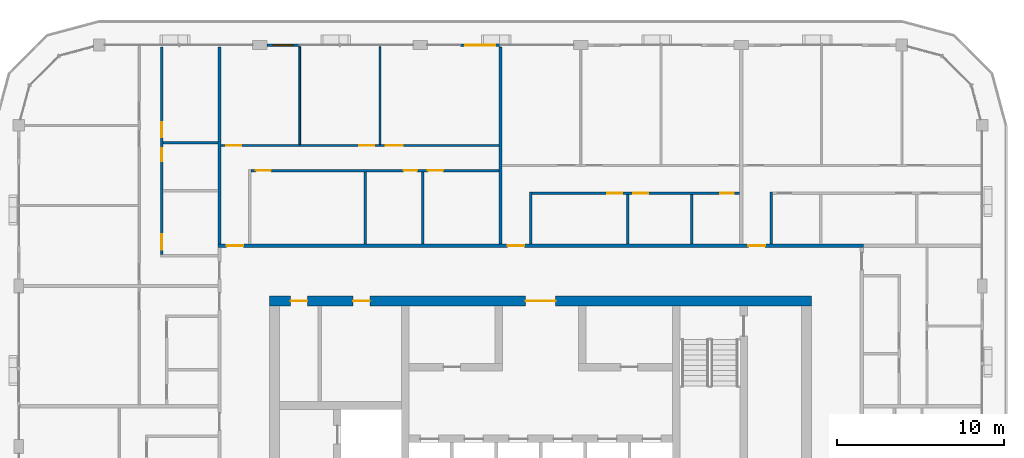
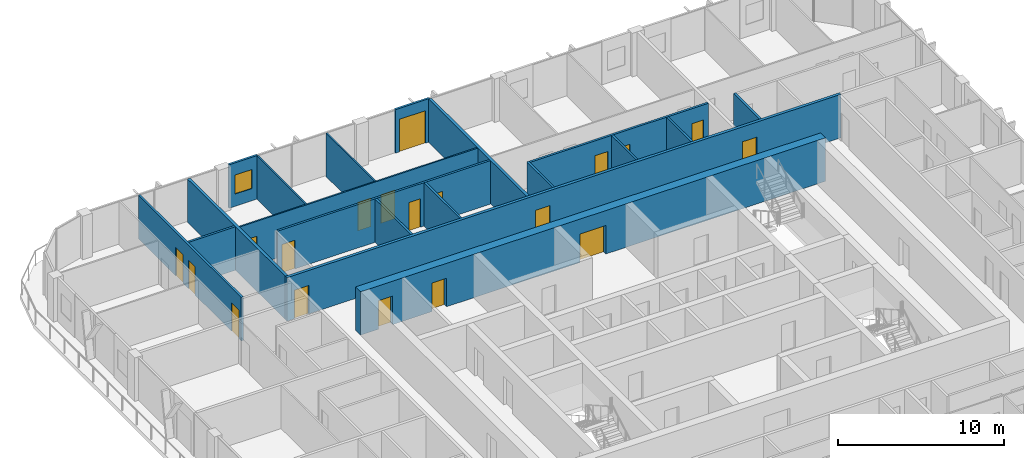
# One storey, part 14 of 21: 19 doors, 19 walls, 1 window, 20 openings.
"""IFC4 building model written with IfcOpenShell, lengths in metres."""

from ifc_helpers import new_model, si_unit, direction, frame, frame_2d, origin, place, context, subcontext, project, spatial, rectangle, extrude, material, layer, layer_set, type_object, element, fill, save


model = new_model("IFC4")

# Units and contexts
model_context = context("Model", 3, precision=1e-05, world=origin(), true_north=direction((0.0, 1.0)))
body_context = subcontext(model_context, "Body", "Model", "MODEL_VIEW")
ifc_project = project(units=[si_unit("LENGTHUNIT", "METRE"), si_unit("AREAUNIT", "SQUARE_METRE"), si_unit("VOLUMEUNIT", "CUBIC_METRE"), si_unit("PLANEANGLEUNIT", "RADIAN"), si_unit("MASSUNIT", "GRAM", prefix="KILO")], contexts=[model_context])

# Site, building, storey
site_placement = place(None, origin())
site = spatial("IfcSite", under=ifc_project, at=site_placement, CompositionType="ELEMENT")
building_placement = place(site_placement, origin())
building = spatial("IfcBuilding", under=site, at=building_placement, Name="Madar Terraces", CompositionType="ELEMENT")
storey_placement = place(building_placement, frame((0.0, 0.0, 252.699951171875)))
storey = spatial("IfcBuildingStorey", under=building, at=storey_placement, Name="L66", CompositionType="ELEMENT", Elevation=252.699951171875)

# Wall, openings, doors
ifc_material_1 = material(Name="Concrete C55/67", Category="concrete")
ifc_layer_1 = layer(ifc_material_1, 0.60009765625)
ifc_layer_set_1 = layer_set([ifc_layer_1], Name="Concrete C55/67 (CRW5 RC wall 600)")
wall_type_1 = type_object("IfcWallType", Name="CRW5 RC wall 600", PredefinedType="SHEAR", material=ifc_layer_set_1)
wall_1_placement = place(storey_placement, frame((15.0, 37.5, 0.0), z_axis=(0.0, 0.0, 1.0), x_axis=(1.0, 0.0, 0.0)))
wall_1 = element("IfcWall", 1, at=wall_1_placement, inside=storey, type_object=wall_type_1, Name="CORE OUTER WALL", PredefinedType="SHEAR", context=body_context, shape_type="SweptSolid", body=[
    extrude(rectangle(XDim=32.39990234375, YDim=0.60009765625, at=frame_2d((16.199951171875, 0.0))), origin(), (0.0, 0.0, 1.0), 3.199951171875),
])
opening_1_placement = place(wall_1_placement, frame((15.300048828125, 0.0, 0.0)))
opening_1 = element("IfcOpeningElement", 2, at=opening_1_placement, cuts=wall_1, Name="Opening KD1", PredefinedType="OPENING", context=body_context, shape_type="SweptSolid", body=[
    extrude(rectangle(XDim=1.800048828125, YDim=2.10009765625, at=frame_2d((0.89990234375, 1.050048828125))), frame((0.0, 0.31005859375, 0.0), z_axis=(0.0, -1.0, 0.0), x_axis=(1.0, 0.0, 0.0)), (0.0, 0.0, 1.0), 0.6201171875),
])
opening_2_placement = place(wall_1_placement, frame((1.25048828125, 0.0, 0.0)))
opening_2 = element("IfcOpeningElement", 3, at=opening_2_placement, cuts=wall_1, Name="Opening KD2", PredefinedType="OPENING", context=body_context, shape_type="SweptSolid", body=[
    extrude(rectangle(XDim=1.0, YDim=2.10009765625, at=frame_2d((0.5, 1.050048828125))), frame((0.0, 0.31005859375, 0.0), z_axis=(0.0, -1.0, 0.0), x_axis=(1.0, 0.0, 0.0)), (0.0, 0.0, 1.0), 0.6201171875),
])
opening_3_placement = place(wall_1_placement, frame((4.98779296875, 0.0, 0.0)))
opening_3 = element("IfcOpeningElement", 4, at=opening_3_placement, cuts=wall_1, Name="Opening KD2", PredefinedType="OPENING", context=body_context, shape_type="SweptSolid", body=[
    extrude(rectangle(XDim=1.0, YDim=2.10009765625, at=frame_2d((0.5, 1.050048828125))), frame((0.0, 0.31005859375, 0.0), z_axis=(0.0, -1.0, 0.0), x_axis=(1.0, 0.0, 0.0)), (0.0, 0.0, 1.0), 0.6201171875),
])
ifc_material_2 = material(Name="Steel door leaf", Category="steel")
door_type_1 = type_object("IfcDoorType", Name="Lobby door pair 1800 x 2100", OperationType="DOUBLE_DOOR_SINGLE_SWING", PredefinedType="DOOR", material=ifc_material_2)
door_1_placement = place(opening_1_placement, origin())
door_1 = element("IfcDoor", 5, at=door_1_placement, inside=storey, type_object=door_type_1, Name="LIFT LOBBY DOOR", OperationType="DOUBLE_DOOR_SINGLE_SWING", OverallHeight=2.10009765625, OverallWidth=1.800048828125, PredefinedType="DOOR", context=body_context, shape_type="SweptSolid", body=[
    extrude(rectangle(XDim=1.800048828125, YDim=2.10009765625, at=frame_2d((0.89990234375, 1.050048828125))), frame((0.0, 0.02490234375, 0.0), z_axis=(0.0, -1.0, 0.0), x_axis=(1.0, 0.0, 0.0)), (0.0, 0.0, 1.0), 0.050048828125),
])
fill(opening_1, door_1)
ifc_material_3 = material(Name="Steel door leaf", Category="steel")
door_type_2 = type_object("IfcDoorType", Name="Service room door 1000 x 2100", OperationType="NOTDEFINED", PredefinedType="DOOR", material=ifc_material_3)
door_2_placement = place(opening_2_placement, origin())
door_2 = element("IfcDoor", 6, at=door_2_placement, inside=storey, type_object=door_type_2, Name="SERVICE ROOM DOOR", OperationType="SINGLE_SWING_LEFT", OverallHeight=2.10009765625, OverallWidth=1.0, PredefinedType="DOOR", context=body_context, shape_type="SweptSolid", body=[
    extrude(rectangle(XDim=1.0, YDim=2.10009765625, at=frame_2d((0.5, 1.050048828125))), frame((0.0, 0.02490234375, 0.0), z_axis=(0.0, -1.0, 0.0), x_axis=(1.0, 0.0, 0.0)), (0.0, 0.0, 1.0), 0.050048828125),
])
fill(opening_2, door_2)
door_3_placement = place(opening_3_placement, origin())
door_3 = element("IfcDoor", 7, at=door_3_placement, inside=storey, type_object=door_type_2, Name="SERVICE ROOM DOOR", OperationType="SINGLE_SWING_RIGHT", OverallHeight=2.10009765625, OverallWidth=1.0, PredefinedType="DOOR", context=body_context, shape_type="SweptSolid", body=[
    extrude(rectangle(XDim=1.0, YDim=2.10009765625, at=frame_2d((0.5, 1.050048828125))), frame((0.0, 0.02490234375, 0.0), z_axis=(0.0, -1.0, 0.0), x_axis=(1.0, 0.0, 0.0)), (0.0, 0.0, 1.0), 0.050048828125),
])
fill(opening_3, door_3)

# Wall, opening, door
ifc_material_4 = material(Name="Aluminium composite panel, black, over insulated backing", Category="aluminium")
ifc_layer_2 = layer(ifc_material_4, 0.14990234375)
ifc_layer_set_2 = layer_set([ifc_layer_2], Name="Facade bay panel 150")
wall_type_2 = type_object("IfcWallType", Name="Facade bay panel 150", PredefinedType="SOLIDWALL", material=ifc_layer_set_2)
wall_2_placement = place(storey_placement, frame((28.800048828125, 52.800048828125, 0.0), z_axis=(0.0, 0.0, 1.0), x_axis=(-1.0, 0.0, 0.0)))
wall_2 = element("IfcWall", 8, at=wall_2_placement, inside=storey, type_object=wall_type_2, Name="Facade bay panel", PredefinedType="SOLIDWALL", context=body_context, shape_type="SweptSolid", body=[
    extrude(rectangle(XDim=2.400146484375, YDim=0.14990234375, at=frame_2d((1.2001953125, 0.0))), origin(), (0.0, 0.0, 1.0), 3.199951171875),
])
opening_4_placement = place(wall_2_placement, frame((0.300048828125, 0.0, 0.0)))
opening_4 = element("IfcOpeningElement", 9, at=opening_4_placement, cuts=wall_2, Name="Opening ED1", PredefinedType="OPENING", context=body_context, shape_type="SweptSolid", body=[
    extrude(rectangle(XDim=1.800048828125, YDim=2.39990234375, at=frame_2d((0.89990234375, 1.199951171875))), frame((0.0, 0.0849609375, 0.0), z_axis=(0.0, -1.0, 0.0), x_axis=(1.0, 0.0, 0.0)), (0.0, 0.0, 1.0), 0.169921875),
])
ifc_material_5 = material(Name="Glass, clear, with black aluminium frame", Category="aluminium")
door_type_3 = type_object("IfcDoorType", Name="Balcony and terrace sliding door 1800 x 2400", OperationType="SLIDING_TO_LEFT", PredefinedType="DOOR", material=ifc_material_5)
door_4_placement = place(opening_4_placement, origin())
door_4 = element("IfcDoor", 10, at=door_4_placement, inside=storey, type_object=door_type_3, Name="Balcony door", OperationType="SLIDING_TO_LEFT", OverallHeight=2.39990234375, OverallWidth=1.800048828125, PredefinedType="DOOR", context=body_context, shape_type="SweptSolid", body=[
    extrude(rectangle(XDim=1.800048828125, YDim=2.39990234375, at=frame_2d((0.89990234375, 1.199951171875))), frame((0.0, 0.02490234375, 0.0), z_axis=(0.0, -1.0, 0.0), x_axis=(1.0, 0.0, 0.0)), (0.0, 0.0, 1.0), 0.050048828125),
])
fill(opening_4, door_4)

# Wall, opening, window
wall_3_placement = place(storey_placement, frame((16.800048828125, 52.800048828125, 0.0), z_axis=(0.0, 0.0, 1.0), x_axis=(-1.0, 0.0, 0.0)))
wall_3 = element("IfcWall", 11, at=wall_3_placement, inside=storey, type_object=wall_type_2, Name="Facade bay panel", PredefinedType="SOLIDWALL", context=body_context, shape_type="SweptSolid", body=[
    extrude(rectangle(XDim=1.97509765625, YDim=0.14990234375, at=frame_2d((0.987548828125, 0.0))), origin(), (0.0, 0.0, 1.0), 3.199951171875),
])
opening_5_placement = place(wall_3_placement, frame((0.387451171875, 0.0, 0.89990234375)))
opening_5 = element("IfcOpeningElement", 12, at=opening_5_placement, cuts=wall_3, Name="Opening W1", PredefinedType="OPENING", context=body_context, shape_type="SweptSolid", body=[
    extrude(rectangle(XDim=1.199951171875, YDim=1.39990234375, at=frame_2d((0.60009765625, 0.699951171875))), frame((0.0, 0.0849609375, 0.0), z_axis=(0.0, -1.0, 0.0), x_axis=(1.0, 0.0, 0.0)), (0.0, 0.0, 1.0), 0.169921875),
])
ifc_material_6 = material(Name="Glass, clear, with black aluminium frame", Category="aluminium")
window_type = type_object("IfcWindowType", Name="Vent window 1200 x 1400", PartitioningType="SINGLE_PANEL", PredefinedType="WINDOW", material=ifc_material_6)
window_placement = place(opening_5_placement, origin())
window = element("IfcWindow", 13, at=window_placement, inside=storey, type_object=window_type, Name="Operable vent window", OverallHeight=1.39990234375, OverallWidth=1.199951171875, PartitioningType="SINGLE_PANEL", PredefinedType="WINDOW", context=body_context, shape_type="SweptSolid", body=[
    extrude(rectangle(XDim=1.199951171875, YDim=1.39990234375, at=frame_2d((0.60009765625, 0.699951171875))), frame((0.0, 0.030029296875, 0.0), z_axis=(0.0, -1.0, 0.0), x_axis=(1.0, 0.0, 0.0)), (0.0, 0.0, 1.0), 0.06005859375),
])
fill(opening_5, window)

# Walls
ifc_material_7 = material(Name="Gypsum board on steel studs", Category="steel")
ifc_layer_3 = layer(ifc_material_7, 0.10009765625)
ifc_layer_set_3 = layer_set([ifc_layer_3], Name="Flat partition 100")
wall_type_3 = type_object("IfcWallType", Name="Flat partition 100", PredefinedType="PARTITIONING", material=ifc_layer_set_3)
for number, where, z_axis, x_axis, name in (
    (14, (16.800048828125, 46.85009765625, 0.0), (0.0, 0.0, 1.0), (0.0, 1.0, 0.0), "Flat partition 100"),
    (15, (21.60009765625, 46.85009765625, 0.0), (0.0, 0.0, 1.0), (0.0, 1.0, 0.0), "Flat partition 100"),
):
    element("IfcWall", number, at=place(storey_placement, frame(where, z_axis=z_axis, x_axis=x_axis)), inside=storey, type_object=wall_type_3, Name=name, PredefinedType="PARTITIONING", context=body_context, shape_type="SweptSolid", body=[
        extrude(rectangle(XDim=5.849853515625, YDim=0.10009765625, at=frame_2d((2.9248046875, 0.0))), origin(), (0.0, 0.0, 1.0), 3.199951171875),
    ])

# Wall, openings, doors
wall_4_placement = place(storey_placement, frame((12.10009765625, 46.800048828125, 0.0), z_axis=(0.0, 0.0, 1.0), x_axis=(1.0, 0.0, 0.0)))
wall_4 = element("IfcWall", 16, at=wall_4_placement, inside=storey, type_object=wall_type_3, Name="Flat partition 100", PredefinedType="PARTITIONING", context=body_context, shape_type="SweptSolid", body=[
    extrude(rectangle(XDim=16.599853515625, YDim=0.10009765625, at=frame_2d((8.2998046875, 0.0))), origin(), (0.0, 0.0, 1.0), 3.199951171875),
])
opening_6_placement = place(wall_4_placement, frame((0.300048828125, 0.0, 0.0)))
opening_6 = element("IfcOpeningElement", 17, at=opening_6_placement, cuts=wall_4, Name="Opening D2", PredefinedType="OPENING", context=body_context, shape_type="SweptSolid", body=[
    extrude(rectangle(XDim=0.89990234375, YDim=2.10009765625, at=frame_2d((0.449951171875, 1.050048828125))), frame((0.0, 0.06005859375, 0.0), z_axis=(0.0, -1.0, 0.0), x_axis=(1.0, 0.0, 0.0)), (0.0, 0.0, 1.0), 0.1201171875),
])
opening_7_placement = place(wall_4_placement, frame((8.25, 0.0, 0.0)))
opening_7 = element("IfcOpeningElement", 18, at=opening_7_placement, cuts=wall_4, Name="Opening D2", PredefinedType="OPENING", context=body_context, shape_type="SweptSolid", body=[
    extrude(rectangle(XDim=0.89990234375, YDim=2.10009765625, at=frame_2d((0.449951171875, 1.050048828125))), frame((0.0, 0.06005859375, 0.0), z_axis=(0.0, -1.0, 0.0), x_axis=(1.0, 0.0, 0.0)), (0.0, 0.0, 1.0), 0.1201171875),
])
opening_8_placement = place(wall_4_placement, frame((9.85009765625, 0.0, 0.0)))
opening_8 = element("IfcOpeningElement", 19, at=opening_8_placement, cuts=wall_4, Name="Opening D3", PredefinedType="OPENING", context=body_context, shape_type="SweptSolid", body=[
    extrude(rectangle(XDim=1.0, YDim=2.10009765625, at=frame_2d((0.5, 1.050048828125))), frame((0.0, 0.06005859375, 0.0), z_axis=(0.0, -1.0, 0.0), x_axis=(1.0, 0.0, 0.0)), (0.0, 0.0, 1.0), 0.1201171875),
])
ifc_material_8 = material(Name="Timber door leaf", Category="wood")
door_type_4 = type_object("IfcDoorType", Name="Flat living room door 1000", OperationType="NOTDEFINED", PredefinedType="DOOR", material=ifc_material_8)
door_5_placement = place(opening_8_placement, origin())
door_5 = element("IfcDoor", 20, at=door_5_placement, inside=storey, type_object=door_type_4, Name="Flat living room door 1000", OperationType="SINGLE_SWING_LEFT", OverallHeight=2.10009765625, OverallWidth=1.0, PredefinedType="DOOR", context=body_context, shape_type="SweptSolid", body=[
    extrude(rectangle(XDim=1.0, YDim=2.10009765625, at=frame_2d((0.5, 1.050048828125))), frame((0.0, 0.02490234375, 0.0), z_axis=(0.0, -1.0, 0.0), x_axis=(1.0, 0.0, 0.0)), (0.0, 0.0, 1.0), 0.050048828125),
])
fill(opening_8, door_5)
ifc_material_9 = material(Name="Timber door leaf", Category="wood")
door_type_5 = type_object("IfcDoorType", Name="Flat room door 900", OperationType="NOTDEFINED", PredefinedType="DOOR", material=ifc_material_9)
door_6_placement = place(opening_6_placement, origin())
door_6 = element("IfcDoor", 21, at=door_6_placement, inside=storey, type_object=door_type_5, Name="Flat room door 900", OperationType="SINGLE_SWING_LEFT", OverallHeight=2.10009765625, OverallWidth=0.89990234375, PredefinedType="DOOR", context=body_context, shape_type="SweptSolid", body=[
    extrude(rectangle(XDim=0.89990234375, YDim=2.10009765625, at=frame_2d((0.449951171875, 1.050048828125))), frame((0.0, 0.02490234375, 0.0), z_axis=(0.0, -1.0, 0.0), x_axis=(1.0, 0.0, 0.0)), (0.0, 0.0, 1.0), 0.050048828125),
])
fill(opening_6, door_6)
door_7_placement = place(opening_7_placement, origin())
door_7 = element("IfcDoor", 22, at=door_7_placement, inside=storey, type_object=door_type_5, Name="Flat room door 900", OperationType="SINGLE_SWING_RIGHT", OverallHeight=2.10009765625, OverallWidth=0.89990234375, PredefinedType="DOOR", context=body_context, shape_type="SweptSolid", body=[
    extrude(rectangle(XDim=0.89990234375, YDim=2.10009765625, at=frame_2d((0.449951171875, 1.050048828125))), frame((0.0, 0.02490234375, 0.0), z_axis=(0.0, -1.0, 0.0), x_axis=(1.0, 0.0, 0.0)), (0.0, 0.0, 1.0), 0.050048828125),
])
fill(opening_7, door_7)

ifc_material_10 = material(Name="Lightweight blockwork", Category="masonry")
ifc_layer_4 = layer(ifc_material_10, 0.199951171875)
ifc_layer_set_4 = layer_set([ifc_layer_4], Name="Flat party and entrance wall 200")
wall_type_4 = type_object("IfcWallType", Name="Flat party and entrance wall 200", PredefinedType="PARTITIONING", material=ifc_layer_set_4)
wall_5_placement = place(storey_placement, frame((11.89990234375, 40.800048828125, 0.0), z_axis=(0.0, 0.0, 1.0), x_axis=(1.0, 0.0, 0.0)))
wall_5 = element("IfcWall", 23, at=wall_5_placement, inside=storey, type_object=wall_type_4, Name="Flat party and entrance wall 200", PredefinedType="PARTITIONING", context=body_context, shape_type="SweptSolid", body=[
    extrude(rectangle(XDim=38.60009765625, YDim=0.199951171875, at=frame_2d((19.300048828125, 0.0))), origin(), (0.0, 0.0, 1.0), 3.199951171875),
])
opening_9_placement = place(wall_5_placement, frame((31.72509765625, 0.0, 0.0)))
opening_9 = element("IfcOpeningElement", 24, at=opening_9_placement, cuts=wall_5, Name="Opening D1", PredefinedType="OPENING", context=body_context, shape_type="SweptSolid", body=[
    extrude(rectangle(XDim=1.0, YDim=2.10009765625, at=frame_2d((0.5, 1.050048828125))), frame((0.0, 0.10986328125, 0.0), z_axis=(0.0, -1.0, 0.0), x_axis=(1.0, 0.0, 0.0)), (0.0, 0.0, 1.0), 0.219970703125),
])
opening_10_placement = place(wall_5_placement, frame((17.324951171875, 0.0, 0.0)))
opening_10 = element("IfcOpeningElement", 25, at=opening_10_placement, cuts=wall_5, Name="Opening D1", PredefinedType="OPENING", context=body_context, shape_type="SweptSolid", body=[
    extrude(rectangle(XDim=1.0, YDim=2.10009765625, at=frame_2d((0.5, 1.050048828125))), frame((0.0, 0.10986328125, 0.0), z_axis=(0.0, -1.0, 0.0), x_axis=(1.0, 0.0, 0.0)), (0.0, 0.0, 1.0), 0.219970703125),
])
opening_11_placement = place(wall_5_placement, frame((0.52490234375, 0.0, 0.0)))
opening_11 = element("IfcOpeningElement", 26, at=opening_11_placement, cuts=wall_5, Name="Opening D1", PredefinedType="OPENING", context=body_context, shape_type="SweptSolid", body=[
    extrude(rectangle(XDim=1.0, YDim=2.10009765625, at=frame_2d((0.5, 1.050048828125))), frame((0.0, 0.10986328125, 0.0), z_axis=(0.0, -1.0, 0.0), x_axis=(1.0, 0.0, 0.0)), (0.0, 0.0, 1.0), 0.219970703125),
])
ifc_material_11 = material(Name="Timber fire door leaf", Category="wood")
door_type_6 = type_object("IfcDoorType", Name="Flat entrance door 1000 FD30S", OperationType="NOTDEFINED", PredefinedType="DOOR", material=ifc_material_11)
door_8_placement = place(opening_9_placement, origin())
door_8 = element("IfcDoor", 27, at=door_8_placement, inside=storey, type_object=door_type_6, Name="Flat entrance door 1000 FD30S", OperationType="SINGLE_SWING_LEFT", OverallHeight=2.10009765625, OverallWidth=1.0, PredefinedType="DOOR", context=body_context, shape_type="SweptSolid", body=[
    extrude(rectangle(XDim=1.0, YDim=2.10009765625, at=frame_2d((0.5, 1.050048828125))), frame((0.0, 0.02490234375, 0.0), z_axis=(0.0, -1.0, 0.0), x_axis=(1.0, 0.0, 0.0)), (0.0, 0.0, 1.0), 0.050048828125),
])
fill(opening_9, door_8)
door_9_placement = place(opening_10_placement, origin())
door_9 = element("IfcDoor", 28, at=door_9_placement, inside=storey, type_object=door_type_6, Name="Flat entrance door 1000 FD30S", OperationType="SINGLE_SWING_LEFT", OverallHeight=2.10009765625, OverallWidth=1.0, PredefinedType="DOOR", context=body_context, shape_type="SweptSolid", body=[
    extrude(rectangle(XDim=1.0, YDim=2.10009765625, at=frame_2d((0.5, 1.050048828125))), frame((0.0, 0.02490234375, 0.0), z_axis=(0.0, -1.0, 0.0), x_axis=(1.0, 0.0, 0.0)), (0.0, 0.0, 1.0), 0.050048828125),
])
fill(opening_10, door_9)
door_10_placement = place(opening_11_placement, origin())
door_10 = element("IfcDoor", 29, at=door_10_placement, inside=storey, type_object=door_type_6, Name="Flat entrance door 1000 FD30S", OperationType="SINGLE_SWING_LEFT", OverallHeight=2.10009765625, OverallWidth=1.0, PredefinedType="DOOR", context=body_context, shape_type="SweptSolid", body=[
    extrude(rectangle(XDim=1.0, YDim=2.10009765625, at=frame_2d((0.5, 1.050048828125))), frame((0.0, 0.02490234375, 0.0), z_axis=(0.0, -1.0, 0.0), x_axis=(1.0, 0.0, 0.0)), (0.0, 0.0, 1.0), 0.050048828125),
])
fill(opening_11, door_10)

# Walls
for number, where, z_axis, x_axis, name in (
    (30, (28.800048828125, 52.699951171875, 0.0), (0.0, 0.0, 1.0), (0.0, -1.0, 0.0), "Flat party and entrance wall 200"),
    (31, (12.0, 52.699951171875, 0.0), (0.0, 0.0, 1.0), (0.0, -1.0, 0.0), "Flat party and entrance wall 200"),
):
    element("IfcWall", number, at=place(storey_placement, frame(where, z_axis=z_axis, x_axis=x_axis)), inside=storey, type_object=wall_type_4, Name=name, PredefinedType="PARTITIONING", context=body_context, shape_type="SweptSolid", body=[
        extrude(rectangle(XDim=11.800048828125, YDim=0.199951171875, at=frame_2d((5.89990234375, 0.0))), origin(), (0.0, 0.0, 1.0), 3.199951171875),
    ])
ifc_material_12 = material(Name="Lightweight blockwork", Category="masonry")
ifc_layer_5 = layer(ifc_material_12, 0.14990234375)
ifc_layer_set_5 = layer_set([ifc_layer_5], Name="Flat wet-room partition 150")
wall_type_5 = type_object("IfcWallType", Name="Flat wet-room partition 150", PredefinedType="PARTITIONING", material=ifc_layer_set_5)
wall_6_placement = place(storey_placement, frame((45.0, 40.89990234375, 0.0), z_axis=(0.0, 0.0, 1.0), x_axis=(0.0, 1.0, 0.0)))
element("IfcWall", 32, at=wall_6_placement, inside=storey, type_object=wall_type_5, Name="Flat wet-room partition 150", PredefinedType="PARTITIONING", context=body_context, shape_type="SweptSolid", body=[
    extrude(rectangle(XDim=3.125, YDim=0.14990234375, at=frame_2d((1.5625, 0.0))), origin(), (0.0, 0.0, 1.0), 3.199951171875),
])
for number, where, z_axis, x_axis, name in (
    (33, (36.40966796875, 40.89990234375, 0.0), (0.0, 0.0, 1.0), (0.0, 1.0, 0.0), "Flat wet-room partition 150"),
    (34, (40.232666015625, 40.89990234375, 0.0), (0.0, 0.0, 1.0), (0.0, 1.0, 0.0), "Flat wet-room partition 150"),
):
    element("IfcWall", number, at=place(storey_placement, frame(where, z_axis=z_axis, x_axis=x_axis)), inside=storey, type_object=wall_type_5, Name=name, PredefinedType="PARTITIONING", context=body_context, shape_type="SweptSolid", body=[
        extrude(rectangle(XDim=2.97509765625, YDim=0.14990234375, at=frame_2d((1.487548828125, 0.0))), origin(), (0.0, 0.0, 1.0), 3.199951171875),
    ])
wall_7_placement = place(storey_placement, frame((30.60009765625, 40.89990234375, 0.0), z_axis=(0.0, 0.0, 1.0), x_axis=(0.0, 1.0, 0.0)))
element("IfcWall", 35, at=wall_7_placement, inside=storey, type_object=wall_type_5, Name="Flat wet-room partition 150", PredefinedType="PARTITIONING", context=body_context, shape_type="SweptSolid", body=[
    extrude(rectangle(XDim=3.125, YDim=0.14990234375, at=frame_2d((1.5625, 0.0))), origin(), (0.0, 0.0, 1.0), 3.199951171875),
])

# Wall, openings, doors
wall_8_placement = place(storey_placement, frame((43.10009765625, 43.949951171875, 0.0), z_axis=(0.0, 0.0, 1.0), x_axis=(-1.0, 0.0, 0.0)))
wall_8 = element("IfcWall", 36, at=wall_8_placement, inside=storey, type_object=wall_type_5, Name="Flat wet-room partition 150", PredefinedType="PARTITIONING", context=body_context, shape_type="SweptSolid", body=[
    extrude(rectangle(XDim=12.425048828125, YDim=0.14990234375, at=frame_2d((6.21240234375, 0.0))), origin(), (0.0, 0.0, 1.0), 3.199951171875),
])
opening_12_placement = place(wall_8_placement, frame((7.015380859375, 0.0, 0.0)))
opening_12 = element("IfcOpeningElement", 37, at=opening_12_placement, cuts=wall_8, Name="Opening D2", PredefinedType="OPENING", context=body_context, shape_type="SweptSolid", body=[
    extrude(rectangle(XDim=0.89990234375, YDim=2.10009765625, at=frame_2d((0.449951171875, 1.050048828125))), frame((0.0, 0.0849609375, 0.0), z_axis=(0.0, -1.0, 0.0), x_axis=(1.0, 0.0, 0.0)), (0.0, 0.0, 1.0), 0.169921875),
])
opening_13_placement = place(wall_8_placement, frame((5.46533203125, 0.0, 0.0)))
opening_13 = element("IfcOpeningElement", 38, at=opening_13_placement, cuts=wall_8, Name="Opening D5", PredefinedType="OPENING", context=body_context, shape_type="SweptSolid", body=[
    extrude(rectangle(XDim=0.89990234375, YDim=2.10009765625, at=frame_2d((0.449951171875, 1.050048828125))), frame((0.0, 0.0849609375, 0.0), z_axis=(0.0, -1.0, 0.0), x_axis=(1.0, 0.0, 0.0)), (0.0, 0.0, 1.0), 0.169921875),
])
opening_14_placement = place(wall_8_placement, frame((0.35009765625, 0.0, 0.0)))
opening_14 = element("IfcOpeningElement", 39, at=opening_14_placement, cuts=wall_8, Name="Opening D4", PredefinedType="OPENING", context=body_context, shape_type="SweptSolid", body=[
    extrude(rectangle(XDim=0.800048828125, YDim=2.10009765625, at=frame_2d((0.39990234375, 1.050048828125))), frame((0.0, 0.0849609375, 0.0), z_axis=(0.0, -1.0, 0.0), x_axis=(1.0, 0.0, 0.0)), (0.0, 0.0, 1.0), 0.169921875),
])
ifc_material_13 = material(Name="Timber door leaf", Category="wood")
door_type_7 = type_object("IfcDoorType", Name="Flat accessible bathroom door 900", OperationType="NOTDEFINED", PredefinedType="DOOR", material=ifc_material_13)
door_11_placement = place(opening_13_placement, origin())
door_11 = element("IfcDoor", 40, at=door_11_placement, inside=storey, type_object=door_type_7, Name="Flat accessible bathroom door 900", OperationType="SINGLE_SWING_RIGHT", OverallHeight=2.10009765625, OverallWidth=0.89990234375, PredefinedType="DOOR", context=body_context, shape_type="SweptSolid", body=[
    extrude(rectangle(XDim=0.89990234375, YDim=2.10009765625, at=frame_2d((0.449951171875, 1.050048828125))), frame((0.0, 0.02490234375, 0.0), z_axis=(0.0, -1.0, 0.0), x_axis=(1.0, 0.0, 0.0)), (0.0, 0.0, 1.0), 0.050048828125),
])
fill(opening_13, door_11)
ifc_material_14 = material(Name="Timber door leaf", Category="wood")
door_type_8 = type_object("IfcDoorType", Name="Flat bathroom door 800", OperationType="NOTDEFINED", PredefinedType="DOOR", material=ifc_material_14)
door_12_placement = place(opening_14_placement, origin())
door_12 = element("IfcDoor", 41, at=door_12_placement, inside=storey, type_object=door_type_8, Name="Flat bathroom door 800", OperationType="SINGLE_SWING_LEFT", OverallHeight=2.10009765625, OverallWidth=0.800048828125, PredefinedType="DOOR", context=body_context, shape_type="SweptSolid", body=[
    extrude(rectangle(XDim=0.800048828125, YDim=2.10009765625, at=frame_2d((0.39990234375, 1.050048828125))), frame((0.0, 0.02490234375, 0.0), z_axis=(0.0, -1.0, 0.0), x_axis=(1.0, 0.0, 0.0)), (0.0, 0.0, 1.0), 0.050048828125),
])
fill(opening_14, door_12)
door_13_placement = place(opening_12_placement, origin())
door_13 = element("IfcDoor", 42, at=door_13_placement, inside=storey, type_object=door_type_5, Name="Flat room door 900", OperationType="SINGLE_SWING_LEFT", OverallHeight=2.10009765625, OverallWidth=0.89990234375, PredefinedType="DOOR", context=body_context, shape_type="SweptSolid", body=[
    extrude(rectangle(XDim=0.89990234375, YDim=2.10009765625, at=frame_2d((0.449951171875, 1.050048828125))), frame((0.0, 0.02490234375, 0.0), z_axis=(0.0, -1.0, 0.0), x_axis=(1.0, 0.0, 0.0)), (0.0, 0.0, 1.0), 0.050048828125),
])
fill(opening_12, door_13)

# Walls
for number, where, z_axis, x_axis, name in (
    (43, (20.71728515625, 40.89990234375, 0.0), (0.0, 0.0, 1.0), (0.0, 1.0, 0.0), "Flat wet-room partition 150"),
    (44, (24.138427734375, 40.89990234375, 0.0), (0.0, 0.0, 1.0), (0.0, 1.0, 0.0), "Flat wet-room partition 150"),
):
    element("IfcWall", number, at=place(storey_placement, frame(where, z_axis=z_axis, x_axis=x_axis)), inside=storey, type_object=wall_type_5, Name=name, PredefinedType="PARTITIONING", context=body_context, shape_type="SweptSolid", body=[
        extrude(rectangle(XDim=4.3251953125, YDim=0.14990234375, at=frame_2d((2.16259765625, 0.0))), origin(), (0.0, 0.0, 1.0), 3.199951171875),
    ])

# Wall, openings, doors
wall_9_placement = place(storey_placement, frame((28.699951171875, 45.300048828125, 0.0), z_axis=(0.0, 0.0, 1.0), x_axis=(-1.0, 0.0, 0.0)))
wall_9 = element("IfcWall", 45, at=wall_9_placement, inside=storey, type_object=wall_type_5, Name="Flat wet-room partition 150", PredefinedType="PARTITIONING", context=body_context, shape_type="SweptSolid", body=[
    extrude(rectangle(XDim=14.824951171875, YDim=0.14990234375, at=frame_2d((7.41259765625, 0.0))), origin(), (0.0, 0.0, 1.0), 3.199951171875),
])
opening_15_placement = place(wall_9_placement, frame((13.625, 0.0, 0.0)))
opening_15 = element("IfcOpeningElement", 46, at=opening_15_placement, cuts=wall_9, Name="Opening D2", PredefinedType="OPENING", context=body_context, shape_type="SweptSolid", body=[
    extrude(rectangle(XDim=0.89990234375, YDim=2.10009765625, at=frame_2d((0.449951171875, 1.050048828125))), frame((0.0, 0.0849609375, 0.0), z_axis=(0.0, -1.0, 0.0), x_axis=(1.0, 0.0, 0.0)), (0.0, 0.0, 1.0), 0.169921875),
])
opening_16_placement = place(wall_9_placement, frame((4.886474609375, 0.0, 0.0)))
opening_16 = element("IfcOpeningElement", 47, at=opening_16_placement, cuts=wall_9, Name="Opening D4", PredefinedType="OPENING", context=body_context, shape_type="SweptSolid", body=[
    extrude(rectangle(XDim=0.800048828125, YDim=2.10009765625, at=frame_2d((0.39990234375, 1.050048828125))), frame((0.0, 0.0849609375, 0.0), z_axis=(0.0, -1.0, 0.0), x_axis=(1.0, 0.0, 0.0)), (0.0, 0.0, 1.0), 0.169921875),
])
opening_17_placement = place(wall_9_placement, frame((3.33642578125, 0.0, 0.0)))
opening_17 = element("IfcOpeningElement", 48, at=opening_17_placement, cuts=wall_9, Name="Opening D5", PredefinedType="OPENING", context=body_context, shape_type="SweptSolid", body=[
    extrude(rectangle(XDim=0.89990234375, YDim=2.10009765625, at=frame_2d((0.449951171875, 1.050048828125))), frame((0.0, 0.0849609375, 0.0), z_axis=(0.0, -1.0, 0.0), x_axis=(1.0, 0.0, 0.0)), (0.0, 0.0, 1.0), 0.169921875),
])
door_14_placement = place(opening_17_placement, origin())
door_14 = element("IfcDoor", 49, at=door_14_placement, inside=storey, type_object=door_type_7, Name="Flat accessible bathroom door 900", OperationType="SINGLE_SWING_RIGHT", OverallHeight=2.10009765625, OverallWidth=0.89990234375, PredefinedType="DOOR", context=body_context, shape_type="SweptSolid", body=[
    extrude(rectangle(XDim=0.89990234375, YDim=2.10009765625, at=frame_2d((0.449951171875, 1.050048828125))), frame((0.0, 0.02490234375, 0.0), z_axis=(0.0, -1.0, 0.0), x_axis=(1.0, 0.0, 0.0)), (0.0, 0.0, 1.0), 0.050048828125),
])
fill(opening_17, door_14)
door_15_placement = place(opening_16_placement, origin())
door_15 = element("IfcDoor", 50, at=door_15_placement, inside=storey, type_object=door_type_8, Name="Flat bathroom door 800", OperationType="SINGLE_SWING_LEFT", OverallHeight=2.10009765625, OverallWidth=0.800048828125, PredefinedType="DOOR", context=body_context, shape_type="SweptSolid", body=[
    extrude(rectangle(XDim=0.800048828125, YDim=2.10009765625, at=frame_2d((0.39990234375, 1.050048828125))), frame((0.0, 0.02490234375, 0.0), z_axis=(0.0, -1.0, 0.0), x_axis=(1.0, 0.0, 0.0)), (0.0, 0.0, 1.0), 0.050048828125),
])
fill(opening_16, door_15)
door_16_placement = place(opening_15_placement, origin())
door_16 = element("IfcDoor", 51, at=door_16_placement, inside=storey, type_object=door_type_5, Name="Flat room door 900", OperationType="SINGLE_SWING_RIGHT", OverallHeight=2.10009765625, OverallWidth=0.89990234375, PredefinedType="DOOR", context=body_context, shape_type="SweptSolid", body=[
    extrude(rectangle(XDim=0.89990234375, YDim=2.10009765625, at=frame_2d((0.449951171875, 1.050048828125))), frame((0.0, 0.02490234375, 0.0), z_axis=(0.0, -1.0, 0.0), x_axis=(1.0, 0.0, 0.0)), (0.0, 0.0, 1.0), 0.050048828125),
])
fill(opening_15, door_16)

# Wall
wall_10_placement = place(storey_placement, frame((11.89990234375, 46.96533203125, 0.0), z_axis=(0.0, 0.0, 1.0), x_axis=(-1.0, 0.0, 0.0)))
element("IfcWall", 52, at=wall_10_placement, inside=storey, type_object=wall_type_5, Name="Flat wet-room partition 150", PredefinedType="PARTITIONING", context=body_context, shape_type="SweptSolid", body=[
    extrude(rectangle(XDim=3.27490234375, YDim=0.14990234375, at=frame_2d((1.637451171875, 0.0))), origin(), (0.0, 0.0, 1.0), 3.199951171875),
])

# Wall, openings, doors
wall_11_placement = place(storey_placement, frame((8.550048828125, 52.699951171875, 0.0), z_axis=(0.0, 0.0, 1.0), x_axis=(0.0, -1.0, 0.0)))
wall_11 = element("IfcWall", 53, at=wall_11_placement, inside=storey, type_object=wall_type_5, Name="Flat wet-room partition 150", PredefinedType="PARTITIONING", context=body_context, shape_type="SweptSolid", body=[
    extrude(rectangle(XDim=12.425048828125, YDim=0.14990234375, at=frame_2d((6.21240234375, 0.0))), origin(), (0.0, 0.0, 1.0), 3.199951171875),
])
opening_18_placement = place(wall_11_placement, frame((11.22509765625, 0.0, 0.0)))
opening_18 = element("IfcOpeningElement", 54, at=opening_18_placement, cuts=wall_11, Name="Opening D5", PredefinedType="OPENING", context=body_context, shape_type="SweptSolid", body=[
    extrude(rectangle(XDim=0.89990234375, YDim=2.10009765625, at=frame_2d((0.449951171875, 1.050048828125))), frame((0.0, 0.0849609375, 0.0), z_axis=(0.0, -1.0, 0.0), x_axis=(1.0, 0.0, 0.0)), (0.0, 0.0, 1.0), 0.169921875),
])
opening_19_placement = place(wall_11_placement, frame((6.0595703125, 0.0, 0.0)))
opening_19 = element("IfcOpeningElement", 55, at=opening_19_placement, cuts=wall_11, Name="Opening D4", PredefinedType="OPENING", context=body_context, shape_type="SweptSolid", body=[
    extrude(rectangle(XDim=0.800048828125, YDim=2.10009765625, at=frame_2d((0.39990234375, 1.050048828125))), frame((0.0, 0.0849609375, 0.0), z_axis=(0.0, -1.0, 0.0), x_axis=(1.0, 0.0, 0.0)), (0.0, 0.0, 1.0), 0.169921875),
])
opening_20_placement = place(wall_11_placement, frame((4.509521484375, 0.0, 0.0)))
opening_20 = element("IfcOpeningElement", 56, at=opening_20_placement, cuts=wall_11, Name="Opening D2", PredefinedType="OPENING", context=body_context, shape_type="SweptSolid", body=[
    extrude(rectangle(XDim=0.89990234375, YDim=2.10009765625, at=frame_2d((0.449951171875, 1.050048828125))), frame((0.0, 0.0849609375, 0.0), z_axis=(0.0, -1.0, 0.0), x_axis=(1.0, 0.0, 0.0)), (0.0, 0.0, 1.0), 0.169921875),
])
door_17_placement = place(opening_18_placement, origin())
door_17 = element("IfcDoor", 57, at=door_17_placement, inside=storey, type_object=door_type_7, Name="Flat accessible bathroom door 900", OperationType="SINGLE_SWING_RIGHT", OverallHeight=2.10009765625, OverallWidth=0.89990234375, PredefinedType="DOOR", context=body_context, shape_type="SweptSolid", body=[
    extrude(rectangle(XDim=0.89990234375, YDim=2.10009765625, at=frame_2d((0.449951171875, 1.050048828125))), frame((0.0, 0.02490234375, 0.0), z_axis=(0.0, -1.0, 0.0), x_axis=(1.0, 0.0, 0.0)), (0.0, 0.0, 1.0), 0.050048828125),
])
fill(opening_18, door_17)
door_18_placement = place(opening_19_placement, origin())
door_18 = element("IfcDoor", 58, at=door_18_placement, inside=storey, type_object=door_type_8, Name="Flat bathroom door 800", OperationType="SINGLE_SWING_LEFT", OverallHeight=2.10009765625, OverallWidth=0.800048828125, PredefinedType="DOOR", context=body_context, shape_type="SweptSolid", body=[
    extrude(rectangle(XDim=0.800048828125, YDim=2.10009765625, at=frame_2d((0.39990234375, 1.050048828125))), frame((0.0, 0.02490234375, 0.0), z_axis=(0.0, -1.0, 0.0), x_axis=(1.0, 0.0, 0.0)), (0.0, 0.0, 1.0), 0.050048828125),
])
fill(opening_19, door_18)
door_19_placement = place(opening_20_placement, origin())
door_19 = element("IfcDoor", 59, at=door_19_placement, inside=storey, type_object=door_type_5, Name="Flat room door 900", OperationType="SINGLE_SWING_RIGHT", OverallHeight=2.10009765625, OverallWidth=0.89990234375, PredefinedType="DOOR", context=body_context, shape_type="SweptSolid", body=[
    extrude(rectangle(XDim=0.89990234375, YDim=2.10009765625, at=frame_2d((0.449951171875, 1.050048828125))), frame((0.0, 0.02490234375, 0.0), z_axis=(0.0, -1.0, 0.0), x_axis=(1.0, 0.0, 0.0)), (0.0, 0.0, 1.0), 0.050048828125),
])
fill(opening_20, door_19)

save(model, "model.ifc")
